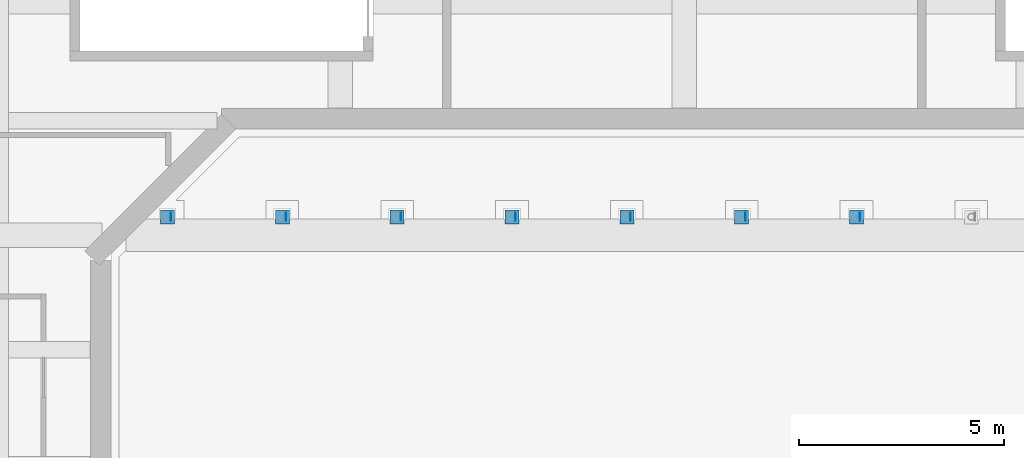
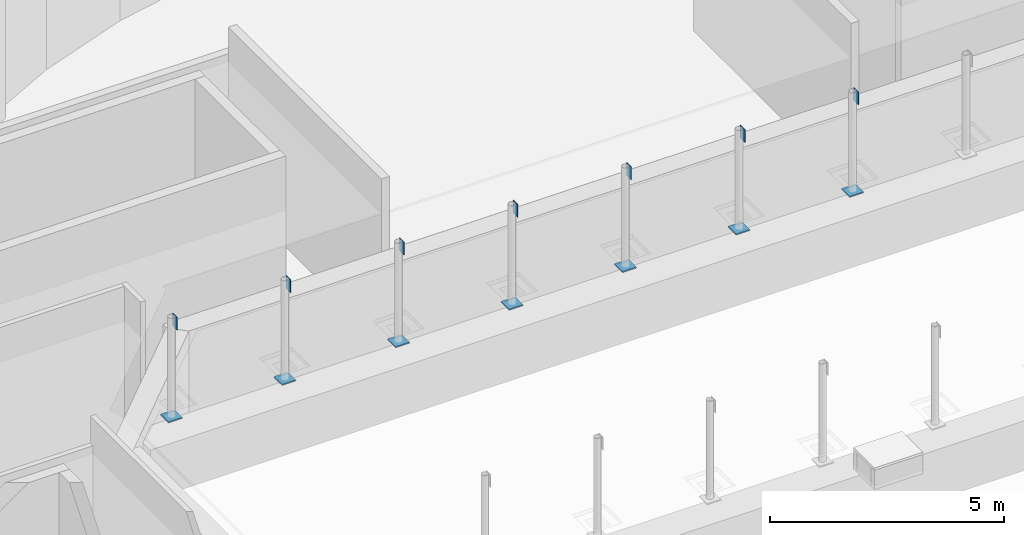
# One storey, part 40 of 47: 14 discrete accessories.
"""IFC4 building model written with IfcOpenShell, lengths in metres."""

from ifc_helpers import new_model, si_unit, direction, frame, origin, origin_2d, place, context, subcontext, project, spatial, rectangle, extrude, material, layer, layer_set, material_profile, profile_set, type_object, element, save


model = new_model("IFC4")

# Units and contexts
model_context = context("Model", 3, precision=1e-05, world=origin(), true_north=direction((0.0, 1.0)))
body_context = subcontext(model_context, "Body", "Model", "MODEL_VIEW")
ifc_project = project(units=[si_unit("LENGTHUNIT", "METRE"), si_unit("AREAUNIT", "SQUARE_METRE"), si_unit("VOLUMEUNIT", "CUBIC_METRE"), si_unit("PLANEANGLEUNIT", "RADIAN"), si_unit("MASSUNIT", "GRAM", prefix="KILO")], contexts=[model_context])

# Site, building, storey
site_placement = place(None, origin())
site = spatial("IfcSite", under=ifc_project, at=site_placement, CompositionType="ELEMENT")
building_placement = place(site_placement, origin())
building = spatial("IfcBuilding", under=site, at=building_placement, Name="Larchfold Concert Hall", CompositionType="ELEMENT")
storey_placement = place(building_placement, frame((0.0, 0.0, 24.0)))
storey = spatial("IfcBuildingStorey", under=building, at=storey_placement, Name="L05", CompositionType="ELEMENT", Elevation=24.0)

# Discrete accessories
ifc_material_1 = material(Name="Steel S355 galvanised bracket", Category="steel")
ifc_material_profile = material_profile(ifc_material_1, rectangle(XDim=0.011962890625, YDim=0.199951171875, at=origin_2d()))
ifc_profile_set = profile_set([ifc_material_profile], Name="Steel S355 galvanised bracket")
discrete_accessory_type_1 = type_object("IfcDiscreteAccessoryType", Name="Gusset plate 12x200", PredefinedType="BRACKET", material=ifc_profile_set)
for number, where, z_axis, x_axis, name in (
    (1, (30.072265625, 101.85009765625, 4.33837890625), (0.0, 0.0, 1.0), (1.0, 0.0, 0.0), "Gusset plate GP0113"),
    (2, (32.876220703125, 101.85009765625, 4.33837890625), (0.0, 0.0, 1.0), (1.0, 0.0, 0.0), "Gusset plate GP0114"),
    (3, (35.68017578125, 101.85009765625, 4.33837890625), (0.0, 0.0, 1.0), (1.0, 0.0, 0.0), "Gusset plate GP0115"),
    (4, (38.484130859375, 101.85009765625, 4.33837890625), (0.0, 0.0, 1.0), (1.0, 0.0, 0.0), "Gusset plate GP0116"),
    (5, (41.2880859375, 101.85009765625, 4.33837890625), (0.0, 0.0, 1.0), (1.0, 0.0, 0.0), "Gusset plate GP0117"),
    (6, (44.09228515625, 101.85009765625, 4.33837890625), (0.0, 0.0, 1.0), (1.0, 0.0, 0.0), "Gusset plate GP0118"),
    (7, (46.896240234375, 101.85009765625, 4.33837890625), (0.0, 0.0, 1.0), (1.0, 0.0, 0.0), "Gusset plate GP0119"),
):
    element("IfcDiscreteAccessory", number, at=place(storey_placement, frame(where, z_axis=z_axis, x_axis=x_axis)), inside=storey, type_object=discrete_accessory_type_1, Name=name, PredefinedType="BRACKET", context=body_context, shape_type="SweptSolid", body=[
        extrude(rectangle(XDim=0.011962890625, YDim=0.199951171875, at=origin_2d()), origin(), (0.0, 0.0, 1.0), 0.336669921875),
    ])
ifc_material_2 = material(Name="Steel S355 galvanised bracket", Category="steel")
ifc_layer = layer(ifc_material_2, 0.030029296875)
ifc_layer_set = layer_set([ifc_layer], Name="Steel S355 galvanised bracket")
discrete_accessory_type_2 = type_object("IfcDiscreteAccessoryType", Name="Post base plate 340x340x30", PredefinedType="BRACKET", material=ifc_layer_set)
for number, where, z_axis, x_axis, name in (
    (8, (29.982177734375, 101.85009765625, 2.0498046875), (0.0, 0.0, 1.0), (1.0, 0.0, 0.0), "Post base plate BP041"),
    (9, (32.7861328125, 101.85009765625, 2.0498046875), (0.0, 0.0, 1.0), (1.0, 0.0, 0.0), "Post base plate BP042"),
    (10, (35.590087890625, 101.85009765625, 2.0498046875), (0.0, 0.0, 1.0), (1.0, 0.0, 0.0), "Post base plate BP043"),
    (11, (38.39404296875, 101.85009765625, 2.0498046875), (0.0, 0.0, 1.0), (1.0, 0.0, 0.0), "Post base plate BP044"),
    (12, (41.197998046875, 101.85009765625, 2.0498046875), (0.0, 0.0, 1.0), (1.0, 0.0, 0.0), "Post base plate BP045"),
    (13, (44.002197265625, 101.85009765625, 2.0498046875), (0.0, 0.0, 1.0), (1.0, 0.0, 0.0), "Post base plate BP046"),
    (14, (46.80615234375, 101.85009765625, 2.0498046875), (0.0, 0.0, 1.0), (1.0, 0.0, 0.0), "Post base plate BP047"),
):
    element("IfcDiscreteAccessory", number, at=place(storey_placement, frame(where, z_axis=z_axis, x_axis=x_axis)), inside=storey, type_object=discrete_accessory_type_2, Name=name, PredefinedType="BRACKET", context=body_context, shape_type="SweptSolid", body=[
        extrude(rectangle(XDim=0.340087890625, YDim=0.340087890625, at=origin_2d()), origin(), (0.0, 0.0, 1.0), 0.030029296875),
    ])

save(model, "model.ifc")
